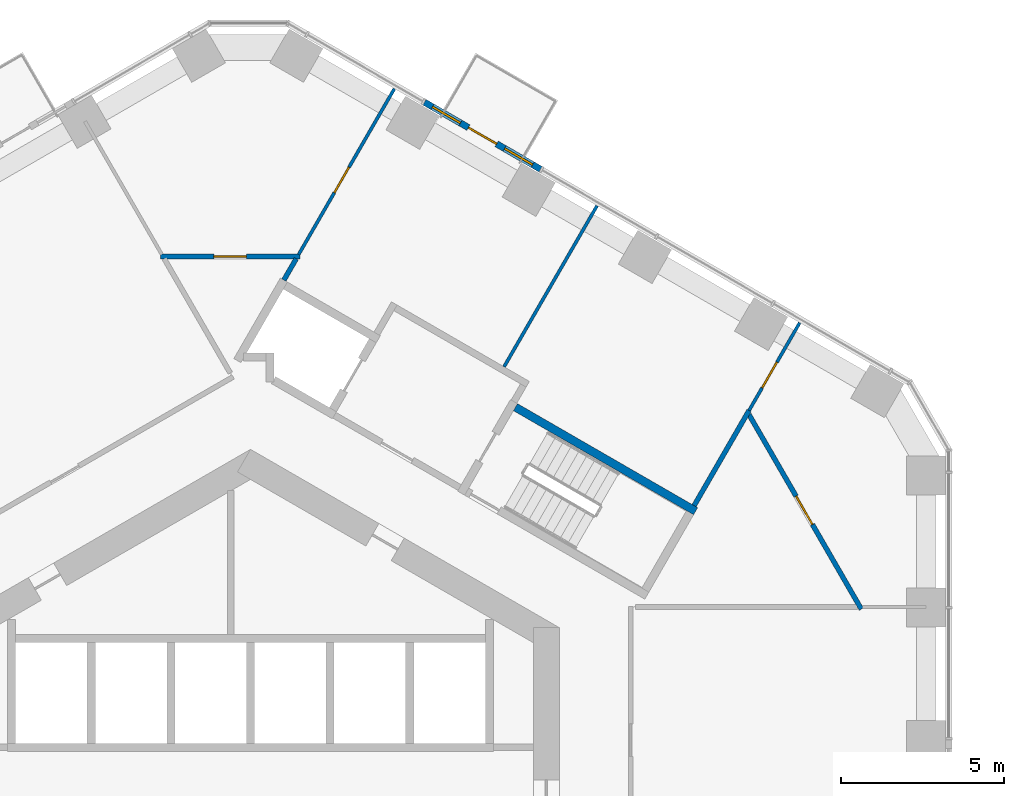
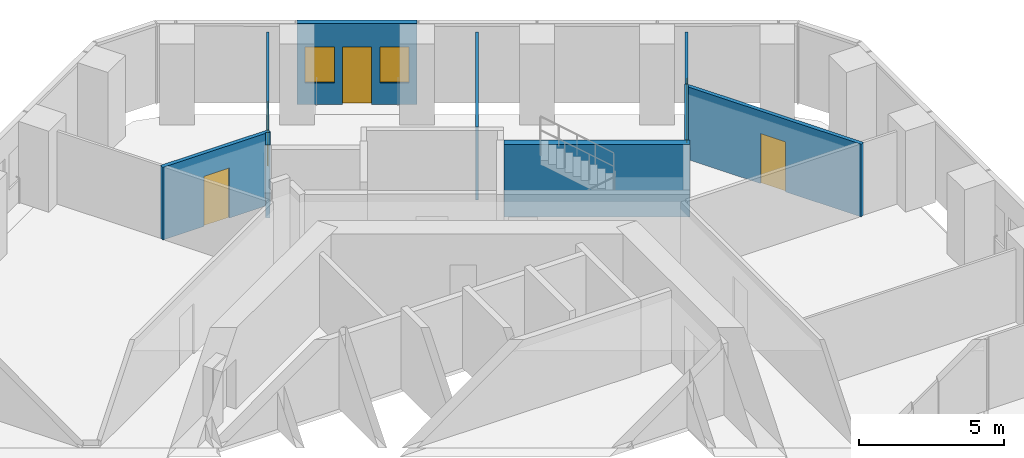
# One storey, part 16 of 20: 9 walls, 5 doors, 2 windows, 7 openings.
"""IFC4 building model written with IfcOpenShell, lengths in metres."""

from ifc_helpers import new_model, si_unit, direction, frame, frame_2d, origin, place, context, subcontext, project, spatial, rectangle, extrude, material, layer, layer_set, type_object, element, fill, save


model = new_model("IFC4")

# Units and contexts
model_context = context("Model", 3, precision=1e-05, world=origin(), true_north=direction((0.0, 1.0)))
body_context = subcontext(model_context, "Body", "Model", "MODEL_VIEW")
ifc_project = project(units=[si_unit("LENGTHUNIT", "METRE"), si_unit("AREAUNIT", "SQUARE_METRE"), si_unit("VOLUMEUNIT", "CUBIC_METRE"), si_unit("PLANEANGLEUNIT", "RADIAN"), si_unit("MASSUNIT", "GRAM", prefix="KILO")], contexts=[model_context])

# Site, building, storey
site_placement = place(None, origin())
site = spatial("IfcSite", under=ifc_project, at=site_placement, CompositionType="ELEMENT")
building_placement = place(site_placement, origin())
building = spatial("IfcBuilding", under=site, at=building_placement, Name="Ayvan Gate Tower", CompositionType="ELEMENT")
storey_placement = place(building_placement, frame((0.0, 0.0, 28.89990234375)))
storey = spatial("IfcBuildingStorey", under=building, at=storey_placement, Name="L06", CompositionType="ELEMENT", Elevation=28.89990234375)

# Wall, openings, door, windows
ifc_material_1 = material(Name="Insulated metal panel wall")
ifc_layer_1 = layer(ifc_material_1, 0.199951171875)
ifc_layer_set_1 = layer_set([ifc_layer_1], Name="Insulated metal panel wall")
wall_type_1 = type_object("IfcWallType", Name="Balcony door wall 200", PredefinedType="SOLIDWALL", material=ifc_layer_set_1)
wall_1_placement = place(storey_placement, frame((8.925537109375, 19.586669921875, 0.0), z_axis=(0.0, 0.0, 1.0), x_axis=(-0.866028988896, 0.499993790352, 0.0)))
wall_1 = element("IfcWall", 1, at=wall_1_placement, inside=storey, type_object=wall_type_1, Name="EW:L06:1:3", PredefinedType="SOLIDWALL", context=body_context, shape_type="SweptSolid", body=[
    extrude(rectangle(XDim=4.1279296875, YDim=0.199951171875, at=frame_2d((2.06396484375, 0.0))), origin(), (0.0, 0.0, 1.0), 3.400146484375),
])
opening_1_placement = place(wall_1_placement, frame((1.56396484375, 0.0, 0.0)))
opening_1 = element("IfcOpeningElement", 2, at=opening_1_placement, cuts=wall_1, Name="Opening L06-D91", PredefinedType="OPENING", context=body_context, shape_type="SweptSolid", body=[
    extrude(rectangle(XDim=1.0, YDim=2.39990234375, at=frame_2d((0.5, 1.199951171875))), frame((0.0, 0.10986328125, 0.0), z_axis=(0.0, -1.0, 0.0), x_axis=(1.0, 0.0, 0.0)), (0.0, 0.0, 1.0), 0.219970703125),
])
opening_2_placement = place(wall_1_placement, frame((0.281982421875, 0.0, 0.89990234375)))
opening_2 = element("IfcOpeningElement", 3, at=opening_2_placement, cuts=wall_1, Name="Opening W-B1", PredefinedType="OPENING", context=body_context, shape_type="SweptSolid", body=[
    extrude(rectangle(XDim=1.0, YDim=1.5, at=frame_2d((0.5, 0.75))), frame((0.0, 0.10986328125, 0.0), z_axis=(0.0, -1.0, 0.0), x_axis=(1.0, 0.0, 0.0)), (0.0, 0.0, 1.0), 0.219970703125),
])
opening_3_placement = place(wall_1_placement, frame((2.845947265625, 0.0, 0.89990234375)))
opening_3 = element("IfcOpeningElement", 4, at=opening_3_placement, cuts=wall_1, Name="Opening W-B1", PredefinedType="OPENING", context=body_context, shape_type="SweptSolid", body=[
    extrude(rectangle(XDim=1.0, YDim=1.5, at=frame_2d((0.5, 0.75))), frame((0.0, 0.10986328125, 0.0), z_axis=(0.0, -1.0, 0.0), x_axis=(1.0, 0.0, 0.0)), (0.0, 0.0, 1.0), 0.219970703125),
])
ifc_material_2 = material(Name="Bronze anodised aluminium and clear glass", Category="aluminium")
door_type_1 = type_object("IfcDoorType", Name="Balcony door D-B", OperationType="SINGLE_SWING_RIGHT", PredefinedType="DOOR", material=ifc_material_2)
door_1_placement = place(opening_1_placement, origin())
door_1 = element("IfcDoor", 5, at=door_1_placement, inside=storey, type_object=door_type_1, Name="Balcony door BAL-L06-1", OperationType="SINGLE_SWING_RIGHT", OverallHeight=2.39990234375, OverallWidth=1.0, PredefinedType="DOOR", context=body_context, shape_type="SweptSolid", body=[
    extrude(rectangle(XDim=1.0, YDim=2.39990234375, at=frame_2d((0.5, 1.199951171875))), frame((0.0, 0.02490234375, 0.0), z_axis=(0.0, -1.0, 0.0), x_axis=(1.0, 0.0, 0.0)), (0.0, 0.0, 1.0), 0.050048828125),
])
fill(opening_1, door_1)
window_type = type_object("IfcWindowType", Name="Balcony side light W-B Z1", PartitioningType="SINGLE_PANEL", PredefinedType="WINDOW", material=ifc_material_2)
window_1_placement = place(opening_2_placement, origin())
window_1 = element("IfcWindow", 6, at=window_1_placement, inside=storey, type_object=window_type, Name="Balcony side light BAL-L06-1.1", OverallHeight=1.5, OverallWidth=1.0, PartitioningType="SINGLE_PANEL", PredefinedType="WINDOW", context=body_context, shape_type="SweptSolid", body=[
    extrude(rectangle(XDim=1.0, YDim=1.5, at=frame_2d((0.5, 0.75))), frame((0.0, 0.030029296875, 0.0), z_axis=(0.0, -1.0, 0.0), x_axis=(1.0, 0.0, 0.0)), (0.0, 0.0, 1.0), 0.06005859375),
])
fill(opening_2, window_1)
window_2_placement = place(opening_3_placement, origin())
window_2 = element("IfcWindow", 7, at=window_2_placement, inside=storey, type_object=window_type, Name="Balcony side light BAL-L06-1.2", OverallHeight=1.5, OverallWidth=1.0, PartitioningType="SINGLE_PANEL", PredefinedType="WINDOW", context=body_context, shape_type="SweptSolid", body=[
    extrude(rectangle(XDim=1.0, YDim=1.5, at=frame_2d((0.5, 0.75))), frame((0.0, 0.030029296875, 0.0), z_axis=(0.0, -1.0, 0.0), x_axis=(1.0, 0.0, 0.0)), (0.0, 0.0, 1.0), 0.06005859375),
])
fill(opening_3, window_2)

# Wall, opening, door
ifc_material_3 = material(Name="Plasterboard on steel stud", Category="steel")
ifc_layer_2 = layer(ifc_material_3, 0.14990234375)
ifc_layer_set_2 = layer_set([ifc_layer_2], Name="Plasterboard on steel stud")
wall_type_2 = type_object("IfcWallType", Name="WT-CORR-150", PredefinedType="PARTITIONING", material=ifc_layer_set_2)
wall_2_placement = place(storey_placement, frame((-2.766845703125, 16.901611328125, 0.0), z_axis=(0.0, 0.0, 1.0), x_axis=(1.0, 0.0, 0.0)))
wall_2 = element("IfcWall", 8, at=wall_2_placement, inside=storey, type_object=wall_type_2, Name="IW-L06-040", PredefinedType="PARTITIONING", context=body_context, shape_type="SweptSolid", body=[
    extrude(rectangle(XDim=4.2861328125, YDim=0.14990234375, at=frame_2d((2.14306640625, 0.0))), origin(), (0.0, 0.0, 1.0), 3.050048828125),
])
opening_4_placement = place(wall_2_placement, frame((1.64306640625, 0.0, 0.0)))
opening_4 = element("IfcOpeningElement", 9, at=opening_4_placement, cuts=wall_2, Name="Opening L06-D21", PredefinedType="OPENING", context=body_context, shape_type="SweptSolid", body=[
    extrude(rectangle(XDim=1.0, YDim=2.10009765625, at=frame_2d((0.5, 1.050048828125))), frame((0.0, 0.0849609375, 0.0), z_axis=(0.0, -1.0, 0.0), x_axis=(1.0, 0.0, 0.0)), (0.0, 0.0, 1.0), 0.169921875),
])
ifc_material_4 = material(Name="Timber door leaf", Category="wood")
door_type_2 = type_object("IfcDoorType", Name="DT-1000", OperationType="NOTDEFINED", PredefinedType="DOOR", material=ifc_material_4)
door_2_placement = place(opening_4_placement, origin())
door_2 = element("IfcDoor", 10, at=door_2_placement, inside=storey, type_object=door_type_2, Name="ID-L06-021", OperationType="SINGLE_SWING_LEFT", OverallHeight=2.10009765625, OverallWidth=1.0, PredefinedType="DOOR", context=body_context, shape_type="SweptSolid", body=[
    extrude(rectangle(XDim=1.0, YDim=2.10009765625, at=frame_2d((0.5, 1.050048828125))), frame((0.0, 0.02490234375, 0.0), z_axis=(0.0, -1.0, 0.0), x_axis=(1.0, 0.0, 0.0)), (0.0, 0.0, 1.0), 0.050048828125),
])
fill(opening_4, door_2)

# Walls
wall_3_placement = place(storey_placement, frame((1.40673828125, 16.836669921875, 0.0), z_axis=(0.0, 0.0, 1.0), x_axis=(-0.499907982315, -0.866078523702, 0.0)))
element("IfcWall", 11, at=wall_3_placement, inside=storey, type_object=wall_type_2, Name="IW-L06-060", PredefinedType="PARTITIONING", context=body_context, shape_type="SweptSolid", body=[
    extrude(rectangle(XDim=0.759521484375, YDim=0.14990234375, at=frame_2d((0.3798828125, 0.0))), origin(), (0.0, 0.0, 1.0), 3.050048828125),
])
wall_4_placement = place(storey_placement, frame((13.647705078125, 9.23876953125, 0.0), z_axis=(0.0, 0.0, 1.0), x_axis=(0.500022507987, 0.866012408402, 0.0)))
element("IfcWall", 12, at=wall_4_placement, inside=storey, type_object=wall_type_2, Name="IW-L06-100", PredefinedType="PARTITIONING", context=body_context, shape_type="SweptSolid", body=[
    extrude(rectangle(XDim=3.380615234375, YDim=0.14990234375, at=frame_2d((1.6904296875, 0.0))), origin(), (0.0, 0.0, 1.0), 3.050048828125),
])

# Wall, opening, door
wall_5_placement = place(storey_placement, frame((15.338134765625, 12.03662109375, 0.0), z_axis=(0.0, 0.0, 1.0), x_axis=(0.500020244489, -0.866013715308, 0.0)))
wall_5 = element("IfcWall", 13, at=wall_5_placement, inside=storey, type_object=wall_type_2, Name="IW-L06-103", PredefinedType="PARTITIONING", context=body_context, shape_type="SweptSolid", body=[
    extrude(rectangle(XDim=6.907470703125, YDim=0.14990234375, at=frame_2d((3.45361328125, 0.0))), origin(), (0.0, 0.0, 1.0), 3.050048828125),
])
opening_5_placement = place(wall_5_placement, frame((2.89892578125, 0.0, 0.0)))
opening_5 = element("IfcOpeningElement", 14, at=opening_5_placement, cuts=wall_5, Name="Opening L06-D19", PredefinedType="OPENING", context=body_context, shape_type="SweptSolid", body=[
    extrude(rectangle(XDim=1.0, YDim=2.10009765625, at=frame_2d((0.5, 1.050048828125))), frame((0.0, 0.0849609375, 0.0), z_axis=(0.0, -1.0, 0.0), x_axis=(1.0, 0.0, 0.0)), (0.0, 0.0, 1.0), 0.169921875),
])
door_3_placement = place(opening_5_placement, origin())
door_3 = element("IfcDoor", 15, at=door_3_placement, inside=storey, type_object=door_type_2, Name="ID-L06-019", OperationType="SINGLE_SWING_LEFT", OverallHeight=2.10009765625, OverallWidth=1.0, PredefinedType="DOOR", context=body_context, shape_type="SweptSolid", body=[
    extrude(rectangle(XDim=1.0, YDim=2.10009765625, at=frame_2d((0.5, 1.050048828125))), frame((0.0, 0.02490234375, 0.0), z_axis=(0.0, -1.0, 0.0), x_axis=(1.0, 0.0, 0.0)), (0.0, 0.0, 1.0), 0.050048828125),
])
fill(opening_5, door_3)

ifc_layer_3 = layer(ifc_material_3, 0.10009765625)
ifc_layer_set_3 = layer_set([ifc_layer_3], Name="Plasterboard on steel stud")
wall_type_3 = type_object("IfcWallType", Name="WT-PART-100", PredefinedType="PARTITIONING", material=ifc_layer_set_3)
wall_6_placement = place(storey_placement, frame((4.42529296875, 22.064697265625, 0.0), z_axis=(0.0, 0.0, 1.0), x_axis=(-0.500024001918, -0.866011545827, 0.0)))
wall_6 = element("IfcWall", 16, at=wall_6_placement, inside=storey, type_object=wall_type_3, Name="IW-L06-070", PredefinedType="PARTITIONING", context=body_context, shape_type="SweptSolid", body=[
    extrude(rectangle(XDim=5.886962890625, YDim=0.10009765625, at=frame_2d((2.943359375, 0.0))), origin(), (0.0, 0.0, 1.0), 3.050048828125),
])
opening_6_placement = place(wall_6_placement, frame((2.79150390625, 0.0, 0.0)))
opening_6 = element("IfcOpeningElement", 17, at=opening_6_placement, cuts=wall_6, Name="Opening L06-D22", PredefinedType="OPENING", context=body_context, shape_type="SweptSolid", body=[
    extrude(rectangle(XDim=0.89990234375, YDim=2.10009765625, at=frame_2d((0.449951171875, 1.050048828125))), frame((0.0, 0.06005859375, 0.0), z_axis=(0.0, -1.0, 0.0), x_axis=(1.0, 0.0, 0.0)), (0.0, 0.0, 1.0), 0.1201171875),
])
door_type_3 = type_object("IfcDoorType", Name="DT-900", OperationType="NOTDEFINED", PredefinedType="DOOR", material=ifc_material_4)
door_4_placement = place(opening_6_placement, origin())
door_4 = element("IfcDoor", 18, at=door_4_placement, inside=storey, type_object=door_type_3, Name="ID-L06-022", OperationType="SINGLE_SWING_RIGHT", OverallHeight=2.10009765625, OverallWidth=0.89990234375, PredefinedType="DOOR", context=body_context, shape_type="SweptSolid", body=[
    extrude(rectangle(XDim=0.89990234375, YDim=2.10009765625, at=frame_2d((0.449951171875, 1.050048828125))), frame((0.0, 0.02490234375, 0.0), z_axis=(0.0, -1.0, 0.0), x_axis=(1.0, 0.0, 0.0)), (0.0, 0.0, 1.0), 0.050048828125),
])
fill(opening_6, door_4)

# Wall
wall_7_placement = place(storey_placement, frame((7.800048828125, 13.510009765625, 0.0), z_axis=(0.0, 0.0, 1.0), x_axis=(0.499989639809, 0.866031385161, 0.0)))
element("IfcWall", 19, at=wall_7_placement, inside=storey, type_object=wall_type_3, Name="IW-L06-082", PredefinedType="PARTITIONING", context=body_context, shape_type="SweptSolid", body=[
    extrude(rectangle(XDim=5.72119140625, YDim=0.10009765625, at=frame_2d((2.860595703125, 0.0))), origin(), (0.0, 0.0, 1.0), 3.050048828125),
])

# Wall, opening, door
wall_8_placement = place(storey_placement, frame((15.338134765625, 12.16650390625, 0.0), z_axis=(0.0, 0.0, 1.0), x_axis=(0.500007335828, 0.866021168401, 0.0)))
wall_8 = element("IfcWall", 20, at=wall_8_placement, inside=storey, type_object=wall_type_3, Name="IW-L06-102", PredefinedType="PARTITIONING", context=body_context, shape_type="SweptSolid", body=[
    extrude(rectangle(XDim=3.11572265625, YDim=0.10009765625, at=frame_2d((1.557861328125, 0.0))), origin(), (0.0, 0.0, 1.0), 3.050048828125),
])
opening_7_placement = place(wall_8_placement, frame((0.809814453125, 0.0, 0.0)))
opening_7 = element("IfcOpeningElement", 21, at=opening_7_placement, cuts=wall_8, Name="Opening L06-D20", PredefinedType="OPENING", context=body_context, shape_type="SweptSolid", body=[
    extrude(rectangle(XDim=0.89990234375, YDim=2.10009765625, at=frame_2d((0.449951171875, 1.050048828125))), frame((0.0, 0.06005859375, 0.0), z_axis=(0.0, -1.0, 0.0), x_axis=(1.0, 0.0, 0.0)), (0.0, 0.0, 1.0), 0.1201171875),
])
door_5_placement = place(opening_7_placement, origin())
door_5 = element("IfcDoor", 22, at=door_5_placement, inside=storey, type_object=door_type_3, Name="ID-L06-020", OperationType="SINGLE_SWING_RIGHT", OverallHeight=2.10009765625, OverallWidth=0.89990234375, PredefinedType="DOOR", context=body_context, shape_type="SweptSolid", body=[
    extrude(rectangle(XDim=0.89990234375, YDim=2.10009765625, at=frame_2d((0.449951171875, 1.050048828125))), frame((0.0, 0.02490234375, 0.0), z_axis=(0.0, -1.0, 0.0), x_axis=(1.0, 0.0, 0.0)), (0.0, 0.0, 1.0), 0.050048828125),
])
fill(opening_7, door_5)

# Wall
ifc_material_5 = material(Name="Concrete C50/60", Category="concrete")
ifc_layer_4 = layer(ifc_material_5, 0.25)
ifc_layer_set_4 = layer_set([ifc_layer_4], Name="Concrete C50/60")
wall_type_4 = type_object("IfcWallType", Name="WT-RC-250", PredefinedType="SHEAR", material=ifc_layer_set_4)
wall_9_placement = place(storey_placement, frame((8.151123046875, 12.26806640625, 0.0), z_axis=(0.0, 0.0, 1.0), x_axis=(0.866025499775, -0.499999833739, 0.0)))
element("IfcWall", 23, at=wall_9_placement, inside=storey, type_object=wall_type_4, Name="IW-L06-083", PredefinedType="SHEAR", context=body_context, shape_type="SweptSolid", body=[
    extrude(rectangle(XDim=6.39990234375, YDim=0.25, at=frame_2d((3.199951171875, 0.0))), origin(), (0.0, 0.0, 1.0), 3.050048828125),
])

save(model, "model.ifc")
